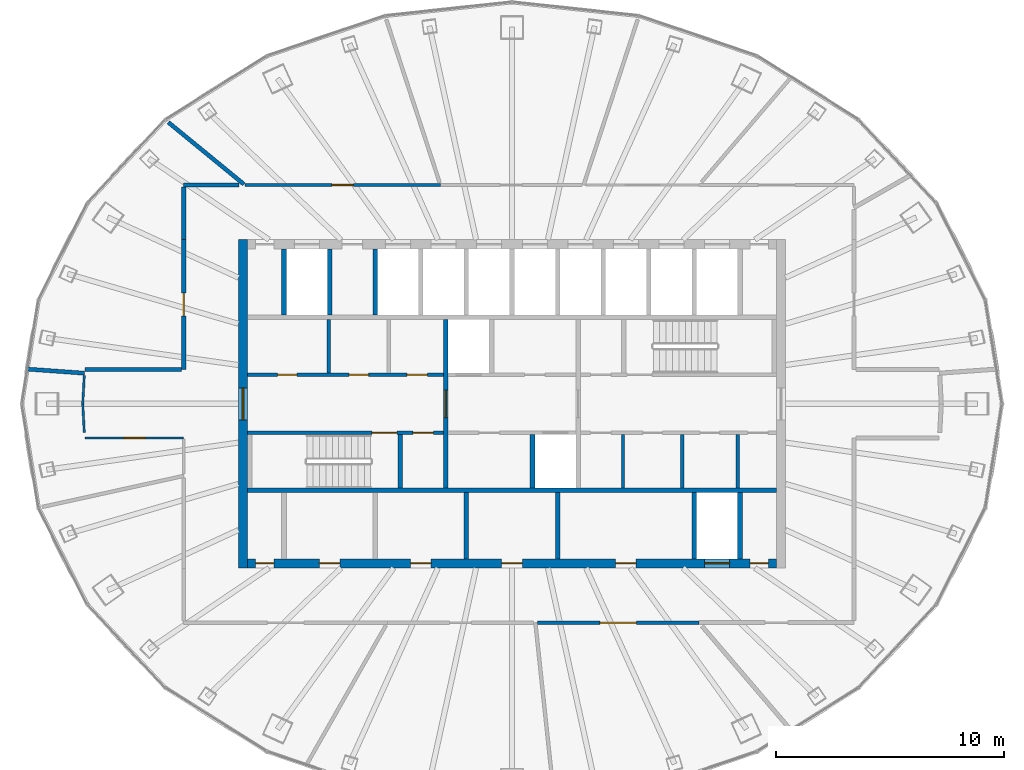
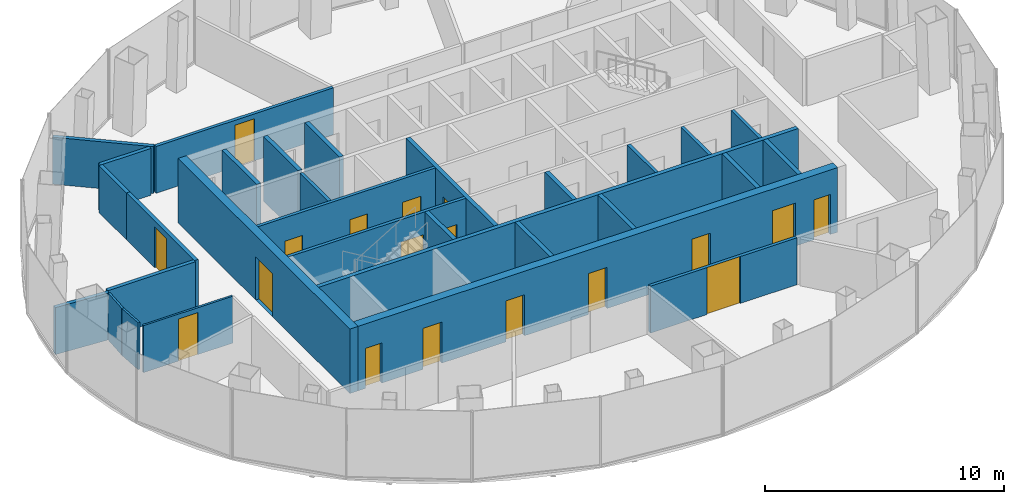
# One storey, part 9 of 12: 30 walls, 18 doors, 18 openings.
"""IFC4 building model written with IfcOpenShell, lengths in metres."""

from ifc_helpers import new_model, si_unit, direction, frame, frame_2d, origin, place, context, subcontext, project, spatial, rectangle, extrude, material, layer, layer_set, type_object, element, fill, save


model = new_model("IFC4")

# Units and contexts
model_context = context("Model", 3, precision=1e-05, world=origin(), true_north=direction((0.0, 1.0)))
body_context = subcontext(model_context, "Body", "Model", "MODEL_VIEW")
ifc_project = project(units=[si_unit("LENGTHUNIT", "METRE"), si_unit("AREAUNIT", "SQUARE_METRE"), si_unit("VOLUMEUNIT", "CUBIC_METRE"), si_unit("PLANEANGLEUNIT", "RADIAN"), si_unit("MASSUNIT", "GRAM", prefix="KILO")], contexts=[model_context])

# Site, building, storey
site_placement = place(None, origin())
site = spatial("IfcSite", under=ifc_project, at=site_placement, CompositionType="ELEMENT")
building_placement = place(site_placement, origin())
building = spatial("IfcBuilding", under=site, at=building_placement, Name="Siaravel Broadcast Tower", CompositionType="ELEMENT")
storey_placement = place(building_placement, frame((0.0, 0.0, 231.89990234375)))
storey = spatial("IfcBuildingStorey", under=building, at=storey_placement, Name="L56", CompositionType="ELEMENT", Elevation=231.89990234375)

# Walls
ifc_material_1 = material(Name="Concrete blockwork", Category="masonry")
ifc_layer_1 = layer(ifc_material_1, 0.14990234375)
ifc_layer_set_1 = layer_set([ifc_layer_1], Name="Concrete blockwork")
wall_type_1 = type_object("IfcWallType", Name="Core partition 150", PredefinedType="PARTITIONING", material=ifc_layer_set_1)
for number, where, z_axis, x_axis, name in (
    (1, (-8.0390625, 1.35009765625, 0.0), (0.0, 0.0, 1.0), (0.0, 1.0, 0.0), "L56 core partition PNW0"),
    (2, (4.867919921875, -3.699951171875, 0.0), (0.0, 0.0, 1.0), (0.0, 1.0, 0.0), "L56 core partition PSE0"),
    (3, (7.462890625, -3.699951171875, 0.0), (0.0, 0.0, 1.0), (0.0, 1.0, 0.0), "L56 core partition PSE1"),
    (4, (9.89501953125, -3.699951171875, 0.0), (0.0, 0.0, 1.0), (0.0, 1.0, 0.0), "L56 core partition PSE2"),
):
    element("IfcWall", number, at=place(storey_placement, frame(where, z_axis=z_axis, x_axis=x_axis)), inside=storey, type_object=wall_type_1, Name=name, PredefinedType="PARTITIONING", context=body_context, shape_type="SweptSolid", body=[
        extrude(rectangle(XDim=2.349853515625, YDim=0.14990234375, at=frame_2d((1.1748046875, 0.0))), origin(), (0.0, 0.0, 1.0), 3.300048828125),
    ])
ifc_layer_2 = layer(ifc_material_1, 0.199951171875)
ifc_layer_set_2 = layer_set([ifc_layer_2], Name="Concrete blockwork")
wall_type_2 = type_object("IfcWallType", Name="Core partition 200", PredefinedType="PARTITIONING", material=ifc_layer_set_2)
for number, where, z_axis, x_axis, name in (
    (5, (-2.0, -6.800048828125, 0.0), (0.0, 0.0, 1.0), (0.0, 1.0, 0.0), "L56 core partition PFS2"),
    (6, (2.0, -6.800048828125, 0.0), (0.0, 0.0, 1.0), (0.0, 1.0, 0.0), "L56 core partition PFS4"),
):
    element("IfcWall", number, at=place(storey_placement, frame(where, z_axis=z_axis, x_axis=x_axis)), inside=storey, type_object=wall_type_2, Name=name, PredefinedType="PARTITIONING", context=body_context, shape_type="SweptSolid", body=[
        extrude(rectangle(XDim=2.900146484375, YDim=0.199951171875, at=frame_2d((1.4501953125, 0.0))), origin(), (0.0, 0.0, 1.0), 3.300048828125),
    ])

# Wall, opening, door
ifc_material_2 = material(Name="Concrete C60/75", Category="concrete")
ifc_layer_3 = layer(ifc_material_2, 0.39990234375)
ifc_layer_set_3 = layer_set([ifc_layer_3], Name="Concrete C60/75")
wall_type_3 = type_object("IfcWallType", Name="Core wall 400", PredefinedType="SHEAR", material=ifc_layer_set_3)
wall_1_placement = place(storey_placement, frame((-11.800048828125, -7.199951171875, 0.0), z_axis=(0.0, 0.0, 1.0), x_axis=(0.0, 1.0, 0.0)))
wall_1 = element("IfcWall", 7, at=wall_1_placement, inside=storey, type_object=wall_type_3, Name="L56 core wall OW", PredefinedType="SHEAR", context=body_context, shape_type="SweptSolid", body=[
    extrude(rectangle(XDim=14.39990234375, YDim=0.39990234375, at=frame_2d((7.199951171875, 0.0))), origin(), (0.0, 0.0, 1.0), 3.300048828125),
])
opening_1_placement = place(wall_1_placement, frame((6.5, 0.0, 0.0)))
opening_1 = element("IfcOpeningElement", 8, at=opening_1_placement, cuts=wall_1, Name="Opening L56-DX-W", PredefinedType="OPENING", context=body_context, shape_type="SweptSolid", body=[
    extrude(rectangle(XDim=1.39990234375, YDim=2.199951171875, at=frame_2d((0.699951171875, 1.10009765625))), frame((0.0, 0.2099609375, 0.0), z_axis=(0.0, -1.0, 0.0), x_axis=(1.0, 0.0, 0.0)), (0.0, 0.0, 1.0), 0.419921875),
])
ifc_material_3 = material(Name="Steel", Category="steel")
door_type_1 = type_object("IfcDoorType", Name="Core exit door 1400", OperationType="DOUBLE_DOOR_SINGLE_SWING", PredefinedType="DOOR", material=ifc_material_3)
door_1_placement = place(opening_1_placement, origin())
door_1 = element("IfcDoor", 9, at=door_1_placement, inside=storey, type_object=door_type_1, Name="L56 door DX-W", OperationType="DOUBLE_DOOR_SINGLE_SWING", OverallHeight=2.199951171875, OverallWidth=1.39990234375, PredefinedType="DOOR", context=body_context, shape_type="SweptSolid", body=[
    extrude(rectangle(XDim=1.39990234375, YDim=2.199951171875, at=frame_2d((0.699951171875, 1.10009765625))), frame((0.0, 0.02490234375, 0.0), z_axis=(0.0, -1.0, 0.0), x_axis=(1.0, 0.0, 0.0)), (0.0, 0.0, 1.0), 0.050048828125),
])
fill(opening_1, door_1)

# Wall, openings, doors
wall_2_placement = place(storey_placement, frame((-11.60009765625, -7.0, 0.0), z_axis=(0.0, 0.0, 1.0), x_axis=(1.0, 0.0, 0.0)))
wall_2 = element("IfcWall", 10, at=wall_2_placement, inside=storey, type_object=wall_type_3, Name="L56 core wall OS", PredefinedType="SHEAR", context=body_context, shape_type="SweptSolid", body=[
    extrude(rectangle(XDim=23.2001953125, YDim=0.39990234375, at=frame_2d((11.60009765625, 0.0))), origin(), (0.0, 0.0, 1.0), 3.300048828125),
])
opening_2_placement = place(wall_2_placement, frame((20.050048828125, 0.0, 0.0)))
opening_2 = element("IfcOpeningElement", 11, at=opening_2_placement, cuts=wall_2, Name="Opening LD-SV1-L56", PredefinedType="OPENING", context=body_context, shape_type="SweptSolid", body=[
    extrude(rectangle(XDim=1.10009765625, YDim=2.199951171875, at=frame_2d((0.550048828125, 1.10009765625))), frame((0.0, 0.2099609375, 0.0), z_axis=(0.0, -1.0, 0.0), x_axis=(1.0, 0.0, 0.0)), (0.0, 0.0, 1.0), 0.419921875),
])
opening_3_placement = place(wall_2_placement, frame((3.14990234375, 0.0, 0.0)))
opening_3 = element("IfcOpeningElement", 12, at=opening_3_placement, cuts=wall_2, Name="Opening L56-DFS0", PredefinedType="OPENING", context=body_context, shape_type="SweptSolid", body=[
    extrude(rectangle(XDim=0.89990234375, YDim=2.10009765625, at=frame_2d((0.449951171875, 1.050048828125))), frame((0.0, 0.2099609375, 0.0), z_axis=(0.0, -1.0, 0.0), x_axis=(1.0, 0.0, 0.0)), (0.0, 0.0, 1.0), 0.419921875),
])
opening_4_placement = place(wall_2_placement, frame((7.14990234375, 0.0, 0.0)))
opening_4 = element("IfcOpeningElement", 13, at=opening_4_placement, cuts=wall_2, Name="Opening L56-DFS2", PredefinedType="OPENING", context=body_context, shape_type="SweptSolid", body=[
    extrude(rectangle(XDim=0.89990234375, YDim=2.10009765625, at=frame_2d((0.449951171875, 1.050048828125))), frame((0.0, 0.2099609375, 0.0), z_axis=(0.0, -1.0, 0.0), x_axis=(1.0, 0.0, 0.0)), (0.0, 0.0, 1.0), 0.419921875),
])
opening_5_placement = place(wall_2_placement, frame((11.14990234375, 0.0, 0.0)))
opening_5 = element("IfcOpeningElement", 14, at=opening_5_placement, cuts=wall_2, Name="Opening L56-DFS4", PredefinedType="OPENING", context=body_context, shape_type="SweptSolid", body=[
    extrude(rectangle(XDim=0.89990234375, YDim=2.10009765625, at=frame_2d((0.449951171875, 1.050048828125))), frame((0.0, 0.2099609375, 0.0), z_axis=(0.0, -1.0, 0.0), x_axis=(1.0, 0.0, 0.0)), (0.0, 0.0, 1.0), 0.419921875),
])
opening_6_placement = place(wall_2_placement, frame((16.14990234375, 0.0, 0.0)))
opening_6 = element("IfcOpeningElement", 15, at=opening_6_placement, cuts=wall_2, Name="Opening L56-DFS6", PredefinedType="OPENING", context=body_context, shape_type="SweptSolid", body=[
    extrude(rectangle(XDim=0.89990234375, YDim=2.10009765625, at=frame_2d((0.449951171875, 1.050048828125))), frame((0.0, 0.2099609375, 0.0), z_axis=(0.0, -1.0, 0.0), x_axis=(1.0, 0.0, 0.0)), (0.0, 0.0, 1.0), 0.419921875),
])
opening_7_placement = place(wall_2_placement, frame((0.35009765625, 0.0, 0.0)))
opening_7 = element("IfcOpeningElement", 16, at=opening_7_placement, cuts=wall_2, Name="Opening L56-DRSW", PredefinedType="OPENING", context=body_context, shape_type="SweptSolid", body=[
    extrude(rectangle(XDim=0.800048828125, YDim=2.050048828125, at=frame_2d((0.39990234375, 1.02490234375))), frame((0.0, 0.2099609375, 0.0), z_axis=(0.0, -1.0, 0.0), x_axis=(1.0, 0.0, 0.0)), (0.0, 0.0, 1.0), 0.419921875),
])
opening_8_placement = place(wall_2_placement, frame((22.050048828125, 0.0, 0.0)))
opening_8 = element("IfcOpeningElement", 17, at=opening_8_placement, cuts=wall_2, Name="Opening L56-DRSE", PredefinedType="OPENING", context=body_context, shape_type="SweptSolid", body=[
    extrude(rectangle(XDim=0.800048828125, YDim=2.050048828125, at=frame_2d((0.39990234375, 1.02490234375))), frame((0.0, 0.2099609375, 0.0), z_axis=(0.0, -1.0, 0.0), x_axis=(1.0, 0.0, 0.0)), (0.0, 0.0, 1.0), 0.419921875),
])
ifc_material_4 = material(Name="Timber veneer", Category="wood")
door_type_2 = type_object("IfcDoorType", Name="Core room door 900", OperationType="SINGLE_SWING_LEFT", PredefinedType="DOOR", material=ifc_material_4)
door_2_placement = place(opening_3_placement, origin())
door_2 = element("IfcDoor", 18, at=door_2_placement, inside=storey, type_object=door_type_2, Name="L56 door DFS0", OperationType="SINGLE_SWING_LEFT", OverallHeight=2.10009765625, OverallWidth=0.89990234375, PredefinedType="DOOR", context=body_context, shape_type="SweptSolid", body=[
    extrude(rectangle(XDim=0.89990234375, YDim=2.10009765625, at=frame_2d((0.449951171875, 1.050048828125))), frame((0.0, 0.02490234375, 0.0), z_axis=(0.0, -1.0, 0.0), x_axis=(1.0, 0.0, 0.0)), (0.0, 0.0, 1.0), 0.050048828125),
])
fill(opening_3, door_2)
door_3_placement = place(opening_4_placement, origin())
door_3 = element("IfcDoor", 19, at=door_3_placement, inside=storey, type_object=door_type_2, Name="L56 door DFS2", OperationType="SINGLE_SWING_LEFT", OverallHeight=2.10009765625, OverallWidth=0.89990234375, PredefinedType="DOOR", context=body_context, shape_type="SweptSolid", body=[
    extrude(rectangle(XDim=0.89990234375, YDim=2.10009765625, at=frame_2d((0.449951171875, 1.050048828125))), frame((0.0, 0.02490234375, 0.0), z_axis=(0.0, -1.0, 0.0), x_axis=(1.0, 0.0, 0.0)), (0.0, 0.0, 1.0), 0.050048828125),
])
fill(opening_4, door_3)
door_4_placement = place(opening_5_placement, origin())
door_4 = element("IfcDoor", 20, at=door_4_placement, inside=storey, type_object=door_type_2, Name="L56 door DFS4", OperationType="SINGLE_SWING_LEFT", OverallHeight=2.10009765625, OverallWidth=0.89990234375, PredefinedType="DOOR", context=body_context, shape_type="SweptSolid", body=[
    extrude(rectangle(XDim=0.89990234375, YDim=2.10009765625, at=frame_2d((0.449951171875, 1.050048828125))), frame((0.0, 0.02490234375, 0.0), z_axis=(0.0, -1.0, 0.0), x_axis=(1.0, 0.0, 0.0)), (0.0, 0.0, 1.0), 0.050048828125),
])
fill(opening_5, door_4)
door_5_placement = place(opening_6_placement, origin())
door_5 = element("IfcDoor", 21, at=door_5_placement, inside=storey, type_object=door_type_2, Name="L56 door DFS6", OperationType="SINGLE_SWING_LEFT", OverallHeight=2.10009765625, OverallWidth=0.89990234375, PredefinedType="DOOR", context=body_context, shape_type="SweptSolid", body=[
    extrude(rectangle(XDim=0.89990234375, YDim=2.10009765625, at=frame_2d((0.449951171875, 1.050048828125))), frame((0.0, 0.02490234375, 0.0), z_axis=(0.0, -1.0, 0.0), x_axis=(1.0, 0.0, 0.0)), (0.0, 0.0, 1.0), 0.050048828125),
])
fill(opening_6, door_5)
door_type_3 = type_object("IfcDoorType", Name="Riser door 800", OperationType="SINGLE_SWING_LEFT", PredefinedType="DOOR", material=ifc_material_3)
door_6_placement = place(opening_7_placement, origin())
door_6 = element("IfcDoor", 22, at=door_6_placement, inside=storey, type_object=door_type_3, Name="L56 door DRSW", OperationType="SINGLE_SWING_LEFT", OverallHeight=2.050048828125, OverallWidth=0.800048828125, PredefinedType="DOOR", context=body_context, shape_type="SweptSolid", body=[
    extrude(rectangle(XDim=0.800048828125, YDim=2.050048828125, at=frame_2d((0.39990234375, 1.02490234375))), frame((0.0, 0.02490234375, 0.0), z_axis=(0.0, -1.0, 0.0), x_axis=(1.0, 0.0, 0.0)), (0.0, 0.0, 1.0), 0.050048828125),
])
fill(opening_7, door_6)
door_7_placement = place(opening_8_placement, origin())
door_7 = element("IfcDoor", 23, at=door_7_placement, inside=storey, type_object=door_type_3, Name="L56 door DRSE", OperationType="SINGLE_SWING_LEFT", OverallHeight=2.050048828125, OverallWidth=0.800048828125, PredefinedType="DOOR", context=body_context, shape_type="SweptSolid", body=[
    extrude(rectangle(XDim=0.800048828125, YDim=2.050048828125, at=frame_2d((0.39990234375, 1.02490234375))), frame((0.0, 0.02490234375, 0.0), z_axis=(0.0, -1.0, 0.0), x_axis=(1.0, 0.0, 0.0)), (0.0, 0.0, 1.0), 0.050048828125),
])
fill(opening_8, door_7)
ifc_material_5 = material(Name="Stainless steel 316L", Category="steel")
door_type_4 = type_object("IfcDoorType", Name="Service lift landing door 1100", OperationType="DOUBLE_DOOR_SLIDING", PredefinedType="DOOR", material=ifc_material_5)
door_8_placement = place(opening_2_placement, origin())
door_8 = element("IfcDoor", 24, at=door_8_placement, inside=storey, type_object=door_type_4, Name="Landing door SV1 L56", OperationType="DOUBLE_DOOR_SLIDING", OverallHeight=2.199951171875, OverallWidth=1.10009765625, PredefinedType="DOOR", context=body_context, shape_type="SweptSolid", body=[
    extrude(rectangle(XDim=1.10009765625, YDim=2.199951171875, at=frame_2d((0.550048828125, 1.10009765625))), frame((0.0, 0.02490234375, 0.0), z_axis=(0.0, -1.0, 0.0), x_axis=(1.0, 0.0, 0.0)), (0.0, 0.0, 1.0), 0.050048828125),
])
fill(opening_2, door_8)

ifc_material_6 = material(Name="Gypsum board partition", Category="gypsum")
ifc_layer_4 = layer(ifc_material_6, 0.14990234375)
ifc_layer_set_4 = layer_set([ifc_layer_4], Name="Gypsum board partition")
wall_type_4 = type_object("IfcWallType", Name="Corridor wall 150", PredefinedType="PARTITIONING", material=ifc_layer_set_4)
wall_3_placement = place(storey_placement, frame((-11.60009765625, 1.27490234375, 0.0), z_axis=(0.0, 0.0, 1.0), x_axis=(1.0, 0.0, 0.0)))
wall_3 = element("IfcWall", 25, at=wall_3_placement, inside=storey, type_object=wall_type_4, Name="L56 core partition CNW", PredefinedType="PARTITIONING", context=body_context, shape_type="SweptSolid", body=[
    extrude(rectangle(XDim=8.60009765625, YDim=0.14990234375, at=frame_2d((4.300048828125, 0.0))), origin(), (0.0, 0.0, 1.0), 3.300048828125),
])
opening_9_placement = place(wall_3_placement, frame((1.318115234375, 0.0, 0.0)))
opening_9 = element("IfcOpeningElement", 26, at=opening_9_placement, cuts=wall_3, Name="Opening L56-DNW0", PredefinedType="OPENING", context=body_context, shape_type="SweptSolid", body=[
    extrude(rectangle(XDim=0.85009765625, YDim=2.10009765625, at=frame_2d((0.425048828125, 1.050048828125))), frame((0.0, 0.0849609375, 0.0), z_axis=(0.0, -1.0, 0.0), x_axis=(1.0, 0.0, 0.0)), (0.0, 0.0, 1.0), 0.169921875),
])
opening_10_placement = place(wall_3_placement, frame((4.4560546875, 0.0, 0.0)))
opening_10 = element("IfcOpeningElement", 27, at=opening_10_placement, cuts=wall_3, Name="Opening L56-DNW1", PredefinedType="OPENING", context=body_context, shape_type="SweptSolid", body=[
    extrude(rectangle(XDim=0.85009765625, YDim=2.10009765625, at=frame_2d((0.425048828125, 1.050048828125))), frame((0.0, 0.0849609375, 0.0), z_axis=(0.0, -1.0, 0.0), x_axis=(1.0, 0.0, 0.0)), (0.0, 0.0, 1.0), 0.169921875),
])
opening_11_placement = place(wall_3_placement, frame((6.988037109375, 0.0, 0.0)))
opening_11 = element("IfcOpeningElement", 28, at=opening_11_placement, cuts=wall_3, Name="Opening L56-DNW2", PredefinedType="OPENING", context=body_context, shape_type="SweptSolid", body=[
    extrude(rectangle(XDim=0.89990234375, YDim=2.10009765625, at=frame_2d((0.449951171875, 1.050048828125))), frame((0.0, 0.0849609375, 0.0), z_axis=(0.0, -1.0, 0.0), x_axis=(1.0, 0.0, 0.0)), (0.0, 0.0, 1.0), 0.169921875),
])
door_9_placement = place(opening_11_placement, origin())
door_9 = element("IfcDoor", 29, at=door_9_placement, inside=storey, type_object=door_type_2, Name="L56 door DNW2", OperationType="SINGLE_SWING_LEFT", OverallHeight=2.10009765625, OverallWidth=0.89990234375, PredefinedType="DOOR", context=body_context, shape_type="SweptSolid", body=[
    extrude(rectangle(XDim=0.89990234375, YDim=2.10009765625, at=frame_2d((0.449951171875, 1.050048828125))), frame((0.0, 0.02490234375, 0.0), z_axis=(0.0, -1.0, 0.0), x_axis=(1.0, 0.0, 0.0)), (0.0, 0.0, 1.0), 0.050048828125),
])
fill(opening_11, door_9)
door_type_5 = type_object("IfcDoorType", Name="Core toilet door 850", OperationType="SINGLE_SWING_LEFT", PredefinedType="DOOR", material=ifc_material_4)
door_10_placement = place(opening_9_placement, origin())
door_10 = element("IfcDoor", 30, at=door_10_placement, inside=storey, type_object=door_type_5, Name="L56 door DNW0", OperationType="SINGLE_SWING_LEFT", OverallHeight=2.10009765625, OverallWidth=0.85009765625, PredefinedType="DOOR", context=body_context, shape_type="SweptSolid", body=[
    extrude(rectangle(XDim=0.85009765625, YDim=2.10009765625, at=frame_2d((0.425048828125, 1.050048828125))), frame((0.0, 0.02490234375, 0.0), z_axis=(0.0, -1.0, 0.0), x_axis=(1.0, 0.0, 0.0)), (0.0, 0.0, 1.0), 0.050048828125),
])
fill(opening_9, door_10)
door_11_placement = place(opening_10_placement, origin())
door_11 = element("IfcDoor", 31, at=door_11_placement, inside=storey, type_object=door_type_5, Name="L56 door DNW1", OperationType="SINGLE_SWING_LEFT", OverallHeight=2.10009765625, OverallWidth=0.85009765625, PredefinedType="DOOR", context=body_context, shape_type="SweptSolid", body=[
    extrude(rectangle(XDim=0.85009765625, YDim=2.10009765625, at=frame_2d((0.425048828125, 1.050048828125))), frame((0.0, 0.02490234375, 0.0), z_axis=(0.0, -1.0, 0.0), x_axis=(1.0, 0.0, 0.0)), (0.0, 0.0, 1.0), 0.050048828125),
])
fill(opening_10, door_11)

# Wall, opening, door
wall_4_placement = place(storey_placement, frame((-3.140380859375, 9.60009765625, 0.0), z_axis=(0.0, 0.0, 1.0), x_axis=(-1.0, 0.0, 0.0)))
wall_4 = element("IfcWall", 32, at=wall_4_placement, inside=storey, type_object=wall_type_4, Name="L56 partition 2", PredefinedType="PARTITIONING", context=body_context, shape_type="SweptSolid", body=[
    extrude(rectangle(XDim=8.57958984375, YDim=0.14990234375, at=frame_2d((4.289794921875, 0.0))), origin(), (0.0, 0.0, 1.0), 2.400146484375),
])
opening_12_placement = place(wall_4_placement, frame((3.814697265625, 0.0, 0.0)))
opening_12 = element("IfcOpeningElement", 33, at=opening_12_placement, cuts=wall_4, Name="Opening L56-009", PredefinedType="OPENING", context=body_context, shape_type="SweptSolid", body=[
    extrude(rectangle(XDim=0.949951171875, YDim=2.14990234375, at=frame_2d((0.47509765625, 1.074951171875))), frame((0.0, 0.0849609375, 0.0), z_axis=(0.0, -1.0, 0.0), x_axis=(1.0, 0.0, 0.0)), (0.0, 0.0, 1.0), 0.169921875),
])
door_type_6 = type_object("IfcDoorType", Name="Office door 950", OperationType="SINGLE_SWING_LEFT", PredefinedType="DOOR", material=ifc_material_4)
door_12_placement = place(opening_12_placement, origin())
door_12 = element("IfcDoor", 34, at=door_12_placement, inside=storey, type_object=door_type_6, Name="L56 door to Reception", OperationType="SINGLE_SWING_LEFT", OverallHeight=2.14990234375, OverallWidth=0.949951171875, PredefinedType="DOOR", context=body_context, shape_type="SweptSolid", body=[
    extrude(rectangle(XDim=0.949951171875, YDim=2.14990234375, at=frame_2d((0.47509765625, 1.074951171875))), frame((0.0, 0.02490234375, 0.0), z_axis=(0.0, -1.0, 0.0), x_axis=(1.0, 0.0, 0.0)), (0.0, 0.0, 1.0), 0.050048828125),
])
fill(opening_12, door_12)

wall_5_placement = place(storey_placement, frame((1.11083984375, -9.60009765625, 0.0), z_axis=(0.0, 0.0, 1.0), x_axis=(1.0, 0.0, 0.0)))
wall_5 = element("IfcWall", 35, at=wall_5_placement, inside=storey, type_object=wall_type_4, Name="L56 partition 6", PredefinedType="PARTITIONING", context=body_context, shape_type="SweptSolid", body=[
    extrude(rectangle(XDim=7.095703125, YDim=0.14990234375, at=frame_2d((3.5478515625, 0.0))), origin(), (0.0, 0.0, 1.0), 2.400146484375),
])
opening_13_placement = place(wall_5_placement, frame((2.747802734375, 0.0, 0.0)))
opening_13 = element("IfcOpeningElement", 36, at=opening_13_placement, cuts=wall_5, Name="Opening L56-003", PredefinedType="OPENING", context=body_context, shape_type="SweptSolid", body=[
    extrude(rectangle(XDim=1.60009765625, YDim=2.39990234375, at=frame_2d((0.800048828125, 1.199951171875))), frame((0.0, 0.0849609375, 0.0), z_axis=(0.0, -1.0, 0.0), x_axis=(1.0, 0.0, 0.0)), (0.0, 0.0, 1.0), 0.169921875),
])
door_type_7 = type_object("IfcDoorType", Name="Restaurant double door 1600", OperationType="DOUBLE_DOOR_SINGLE_SWING", PredefinedType="DOOR", material=ifc_material_4)
door_13_placement = place(opening_13_placement, origin())
door_13 = element("IfcDoor", 37, at=door_13_placement, inside=storey, type_object=door_type_7, Name="L56 door to Lounge", OperationType="DOUBLE_DOOR_SINGLE_SWING", OverallHeight=2.39990234375, OverallWidth=1.60009765625, PredefinedType="DOOR", context=body_context, shape_type="SweptSolid", body=[
    extrude(rectangle(XDim=1.60009765625, YDim=2.39990234375, at=frame_2d((0.800048828125, 1.199951171875))), frame((0.0, 0.02490234375, 0.0), z_axis=(0.0, -1.0, 0.0), x_axis=(1.0, 0.0, 0.0)), (0.0, 0.0, 1.0), 0.050048828125),
])
fill(opening_13, door_13)

ifc_material_7 = material(Name="Glazed aluminium partition", Category="aluminium")
ifc_layer_5 = layer(ifc_material_7, 0.10009765625)
ifc_layer_set_5 = layer_set([ifc_layer_5], Name="Glazed aluminium partition")
wall_type_5 = type_object("IfcWallType", Name="Glazed meeting room partition 100", PredefinedType="PARTITIONING", material=ifc_layer_set_5)
wall_6_placement = place(storey_placement, frame((-18.721923828125, -1.5, 0.0), z_axis=(0.0, 0.0, 1.0), x_axis=(1.0, 0.0, 0.0)))
wall_6 = element("IfcWall", 38, at=wall_6_placement, inside=storey, type_object=wall_type_5, Name="L56 partition 20", PredefinedType="PARTITIONING", context=body_context, shape_type="SweptSolid", body=[
    extrude(rectangle(XDim=4.322021484375, YDim=0.10009765625, at=frame_2d((2.1611328125, 0.0))), origin(), (0.0, 0.0, 1.0), 2.400146484375),
])
opening_14_placement = place(wall_6_placement, frame((1.68603515625, 0.0, 0.0)))
opening_14 = element("IfcOpeningElement", 39, at=opening_14_placement, cuts=wall_6, Name="Opening L56-011", PredefinedType="OPENING", context=body_context, shape_type="SweptSolid", body=[
    extrude(rectangle(XDim=0.949951171875, YDim=2.14990234375, at=frame_2d((0.47509765625, 1.074951171875))), frame((0.0, 0.06005859375, 0.0), z_axis=(0.0, -1.0, 0.0), x_axis=(1.0, 0.0, 0.0)), (0.0, 0.0, 1.0), 0.1201171875),
])
door_14_placement = place(opening_14_placement, origin())
door_14 = element("IfcDoor", 40, at=door_14_placement, inside=storey, type_object=door_type_6, Name="L56 door to Private dining room", OperationType="SINGLE_SWING_LEFT", OverallHeight=2.14990234375, OverallWidth=0.949951171875, PredefinedType="DOOR", context=body_context, shape_type="SweptSolid", body=[
    extrude(rectangle(XDim=0.949951171875, YDim=2.14990234375, at=frame_2d((0.47509765625, 1.074951171875))), frame((0.0, 0.02490234375, 0.0), z_axis=(0.0, -1.0, 0.0), x_axis=(1.0, 0.0, 0.0)), (0.0, 0.0, 1.0), 0.050048828125),
])
fill(opening_14, door_14)

# Walls
wall_7_placement = place(storey_placement, frame((-18.76171875, 1.252197265625, 0.0), z_axis=(0.0, 0.0, 1.0), x_axis=(-0.053151512, -0.998586459, 0.0)))
element("IfcWall", 41, at=wall_7_placement, inside=storey, type_object=wall_type_5, Name="L56 partition 34", PredefinedType="PARTITIONING", context=body_context, shape_type="SweptSolid", body=[
    extrude(rectangle(XDim=1.25390625, YDim=0.10009765625, at=frame_2d((0.626953125, 0.0))), origin(), (0.0, 0.0, 1.0), 2.400146484375),
])
wall_8_placement = place(storey_placement, frame((-18.828369140625, 0.0, 0.0), z_axis=(0.0, 0.0, 1.0), x_axis=(0.053110209, -0.998588657, 0.0)))
element("IfcWall", 42, at=wall_8_placement, inside=storey, type_object=wall_type_5, Name="L56 partition 36", PredefinedType="PARTITIONING", context=body_context, shape_type="SweptSolid", body=[
    extrude(rectangle(XDim=1.2548828125, YDim=0.10009765625, at=frame_2d((0.62744140625, 0.0))), origin(), (0.0, 0.0, 1.0), 2.400146484375),
])

# Wall, opening, door
ifc_layer_6 = layer(ifc_material_1, 0.179931640625)
ifc_layer_set_6 = layer_set([ifc_layer_6], Name="Concrete blockwork")
wall_type_6 = type_object("IfcWallType", Name="Service room fire partition 180", PredefinedType="PARTITIONING", material=ifc_layer_set_6)
wall_9_placement = place(storey_placement, frame((-14.39990234375, 7.2119140625, 0.0), z_axis=(0.0, 0.0, 1.0), x_axis=(0.0, -1.0, 0.0)))
wall_9 = element("IfcWall", 43, at=wall_9_placement, inside=storey, type_object=wall_type_6, Name="L56 partition 15", PredefinedType="PARTITIONING", context=body_context, shape_type="SweptSolid", body=[
    extrude(rectangle(XDim=5.7119140625, YDim=0.179931640625, at=frame_2d((2.85595703125, 0.0))), origin(), (0.0, 0.0, 1.0), 2.400146484375),
])
opening_15_placement = place(wall_9_placement, frame((2.35595703125, 0.0, 0.0)))
opening_15 = element("IfcOpeningElement", 44, at=opening_15_placement, cuts=wall_9, Name="Opening L56-010", PredefinedType="OPENING", context=body_context, shape_type="SweptSolid", body=[
    extrude(rectangle(XDim=1.0, YDim=2.10009765625, at=frame_2d((0.5, 1.050048828125))), frame((0.0, 0.099853515625, 0.0), z_axis=(0.0, -1.0, 0.0), x_axis=(1.0, 0.0, 0.0)), (0.0, 0.0, 1.0), 0.199951171875),
])
door_type_8 = type_object("IfcDoorType", Name="Service room door 1000", OperationType="SINGLE_SWING_LEFT", PredefinedType="DOOR", material=ifc_material_3)
door_15_placement = place(opening_15_placement, origin())
door_15 = element("IfcDoor", 45, at=door_15_placement, inside=storey, type_object=door_type_8, Name="L56 door to Library", OperationType="SINGLE_SWING_RIGHT", OverallHeight=2.10009765625, OverallWidth=1.0, PredefinedType="DOOR", context=body_context, shape_type="SweptSolid", body=[
    extrude(rectangle(XDim=1.0, YDim=2.10009765625, at=frame_2d((0.5, 1.050048828125))), frame((0.0, 0.02490234375, 0.0), z_axis=(0.0, -1.0, 0.0), x_axis=(1.0, 0.0, 0.0)), (0.0, 0.0, 1.0), 0.050048828125),
])
fill(opening_15, door_15)

# Walls
wall_10_placement = place(storey_placement, frame((-15.074951171875, 12.34814453125, 0.0), z_axis=(0.0, 0.0, 1.0), x_axis=(0.773594361, -0.633681122, 0.0)))
element("IfcWall", 46, at=wall_10_placement, inside=storey, type_object=wall_type_6, Name="L56 partition 19", PredefinedType="PARTITIONING", context=body_context, shape_type="SweptSolid", body=[
    extrude(rectangle(XDim=4.287353515625, YDim=0.179931640625, at=frame_2d((2.1435546875, 0.0))), origin(), (0.0, 0.0, 1.0), 2.400146484375),
])
wall_11_placement = place(storey_placement, frame((-14.491943359375, 1.5, 0.0), z_axis=(0.0, 0.0, 1.0), x_axis=(-1.0, 0.0, 0.0)))
element("IfcWall", 47, at=wall_11_placement, inside=storey, type_object=wall_type_6, Name="L56 partition 21", PredefinedType="PARTITIONING", context=body_context, shape_type="SweptSolid", body=[
    extrude(rectangle(XDim=4.22998046875, YDim=0.179931640625, at=frame_2d((2.114990234375, 0.0))), origin(), (0.0, 0.0, 1.0), 2.400146484375),
])
wall_12_placement = place(storey_placement, frame((-11.973876953125, 9.60009765625, 0.0), z_axis=(0.0, 0.0, 1.0), x_axis=(-1.0, 0.0, 0.0)))
element("IfcWall", 48, at=wall_12_placement, inside=storey, type_object=wall_type_6, Name="L56 partition 26", PredefinedType="PARTITIONING", context=body_context, shape_type="SweptSolid", body=[
    extrude(rectangle(XDim=2.426025390625, YDim=0.179931640625, at=frame_2d((1.212890625, 0.0))), origin(), (0.0, 0.0, 1.0), 2.400146484375),
])
wall_13_placement = place(storey_placement, frame((-21.250732421875, 1.52294921875, 0.0), z_axis=(0.0, 0.0, 1.0), x_axis=(0.997442317, -0.071476043, 0.0)))
element("IfcWall", 49, at=wall_13_placement, inside=storey, type_object=wall_type_6, Name="L56 partition 28", PredefinedType="PARTITIONING", context=body_context, shape_type="SweptSolid", body=[
    extrude(rectangle(XDim=2.500244140625, YDim=0.179931640625, at=frame_2d((1.25, 0.0))), origin(), (0.0, 0.0, 1.0), 2.400146484375),
])
wall_14_placement = place(storey_placement, frame((-14.39990234375, 9.508056640625, 0.0), z_axis=(0.0, 0.0, 1.0), x_axis=(0.0, -1.0, 0.0)))
element("IfcWall", 50, at=wall_14_placement, inside=storey, type_object=wall_type_6, Name="L56 partition 30", PredefinedType="PARTITIONING", context=body_context, shape_type="SweptSolid", body=[
    extrude(rectangle(XDim=2.295166015625, YDim=0.179931640625, at=frame_2d((1.1474609375, 0.0))), origin(), (0.0, 0.0, 1.0), 2.400146484375),
])

# Wall, openings, doors
ifc_layer_7 = layer(ifc_material_2, 0.14990234375)
ifc_layer_set_7 = layer_set([ifc_layer_7], Name="Concrete C60/75")
wall_type_7 = type_object("IfcWallType", Name="Shaft wall 150", PredefinedType="SHEAR", material=ifc_layer_set_7)
wall_15_placement = place(storey_placement, frame((-11.60009765625, -1.27490234375, 0.0), z_axis=(0.0, 0.0, 1.0), x_axis=(1.0, 0.0, 0.0)))
wall_15 = element("IfcWall", 51, at=wall_15_placement, inside=storey, type_object=wall_type_7, Name="L56 core wall CSW", PredefinedType="SHEAR", context=body_context, shape_type="SweptSolid", body=[
    extrude(rectangle(XDim=8.60009765625, YDim=0.14990234375, at=frame_2d((4.300048828125, 0.0))), origin(), (0.0, 0.0, 1.0), 3.300048828125),
])
opening_16_placement = place(wall_15_placement, frame((5.449951171875, 0.0, 0.0)))
opening_16 = element("IfcOpeningElement", 52, at=opening_16_placement, cuts=wall_15, Name="Opening L56-DS-1", PredefinedType="OPENING", context=body_context, shape_type="SweptSolid", body=[
    extrude(rectangle(XDim=1.10009765625, YDim=2.14990234375, at=frame_2d((0.550048828125, 1.074951171875))), frame((0.0, 0.0849609375, 0.0), z_axis=(0.0, -1.0, 0.0), x_axis=(1.0, 0.0, 0.0)), (0.0, 0.0, 1.0), 0.169921875),
])
opening_17_placement = place(wall_15_placement, frame((7.25, 0.0, 0.0)))
opening_17 = element("IfcOpeningElement", 53, at=opening_17_placement, cuts=wall_15, Name="Opening L56-DSW0", PredefinedType="OPENING", context=body_context, shape_type="SweptSolid", body=[
    extrude(rectangle(XDim=0.89990234375, YDim=2.10009765625, at=frame_2d((0.449951171875, 1.050048828125))), frame((0.0, 0.0849609375, 0.0), z_axis=(0.0, -1.0, 0.0), x_axis=(1.0, 0.0, 0.0)), (0.0, 0.0, 1.0), 0.169921875),
])
door_16_placement = place(opening_17_placement, origin())
door_16 = element("IfcDoor", 54, at=door_16_placement, inside=storey, type_object=door_type_2, Name="L56 door DSW0", OperationType="SINGLE_SWING_LEFT", OverallHeight=2.10009765625, OverallWidth=0.89990234375, PredefinedType="DOOR", context=body_context, shape_type="SweptSolid", body=[
    extrude(rectangle(XDim=0.89990234375, YDim=2.10009765625, at=frame_2d((0.449951171875, 1.050048828125))), frame((0.0, 0.02490234375, 0.0), z_axis=(0.0, -1.0, 0.0), x_axis=(1.0, 0.0, 0.0)), (0.0, 0.0, 1.0), 0.050048828125),
])
fill(opening_17, door_16)
door_type_9 = type_object("IfcDoorType", Name="Stair door 1100", OperationType="SINGLE_SWING_LEFT", PredefinedType="DOOR", material=ifc_material_3)
door_17_placement = place(opening_16_placement, origin())
door_17 = element("IfcDoor", 55, at=door_17_placement, inside=storey, type_object=door_type_9, Name="L56 door DS-1", OperationType="SINGLE_SWING_LEFT", OverallHeight=2.14990234375, OverallWidth=1.10009765625, PredefinedType="DOOR", context=body_context, shape_type="SweptSolid", body=[
    extrude(rectangle(XDim=1.10009765625, YDim=2.14990234375, at=frame_2d((0.550048828125, 1.074951171875))), frame((0.0, 0.02490234375, 0.0), z_axis=(0.0, -1.0, 0.0), x_axis=(1.0, 0.0, 0.0)), (0.0, 0.0, 1.0), 0.050048828125),
])
fill(opening_16, door_17)

# Walls
ifc_layer_8 = layer(ifc_material_2, 0.199951171875)
ifc_layer_set_8 = layer_set([ifc_layer_8], Name="Concrete C60/75")
wall_type_8 = type_object("IfcWallType", Name="Shaft wall 200", PredefinedType="SHEAR", material=ifc_layer_set_8)
wall_16_placement = place(storey_placement, frame((-11.60009765625, -3.800048828125, 0.0), z_axis=(0.0, 0.0, 1.0), x_axis=(1.0, 0.0, 0.0)))
element("IfcWall", 56, at=wall_16_placement, inside=storey, type_object=wall_type_8, Name="L56 core wall BS", PredefinedType="SHEAR", context=body_context, shape_type="SweptSolid", body=[
    extrude(rectangle(XDim=23.2001953125, YDim=0.199951171875, at=frame_2d((11.60009765625, 0.0))), origin(), (0.0, 0.0, 1.0), 3.300048828125),
])
for number, where, z_axis, x_axis, name in (
    (57, (8.0, -6.800048828125, 0.0), (0.0, 0.0, 1.0), (0.0, 1.0, 0.0), "L56 core wall SWS9"),
    (58, (10.0, -6.800048828125, 0.0), (0.0, 0.0, 1.0), (0.0, 1.0, 0.0), "L56 core wall SWS10"),
    (59, (-10.0, 3.89990234375, 0.0), (0.0, 0.0, 1.0), (0.0, 1.0, 0.0), "L56 core wall SWN0"),
    (60, (-8.0, 3.89990234375, 0.0), (0.0, 0.0, 1.0), (0.0, 1.0, 0.0), "L56 core wall SWN1"),
    (61, (-6.0, 3.89990234375, 0.0), (0.0, 0.0, 1.0), (0.0, 1.0, 0.0), "L56 core wall SWN2"),
):
    element("IfcWall", number, at=place(storey_placement, frame(where, z_axis=z_axis, x_axis=x_axis)), inside=storey, type_object=wall_type_8, Name=name, PredefinedType="SHEAR", context=body_context, shape_type="SweptSolid", body=[
        extrude(rectangle(XDim=2.900146484375, YDim=0.199951171875, at=frame_2d((1.4501953125, 0.0))), origin(), (0.0, 0.0, 1.0), 3.300048828125),
    ])

# Wall, opening, door
wall_17_placement = place(storey_placement, frame((-2.89990234375, -3.699951171875, 0.0), z_axis=(0.0, 0.0, 1.0), x_axis=(0.0, 1.0, 0.0)))
wall_17 = element("IfcWall", 62, at=wall_17_placement, inside=storey, type_object=wall_type_8, Name="L56 core wall LW", PredefinedType="SHEAR", context=body_context, shape_type="SweptSolid", body=[
    extrude(rectangle(XDim=7.39990234375, YDim=0.199951171875, at=frame_2d((3.699951171875, 0.0))), origin(), (0.0, 0.0, 1.0), 3.300048828125),
])
opening_18_placement = place(wall_17_placement, frame((3.10009765625, 0.0, 0.0)))
opening_18 = element("IfcOpeningElement", 63, at=opening_18_placement, cuts=wall_17, Name="Opening L56-DL-W", PredefinedType="OPENING", context=body_context, shape_type="SweptSolid", body=[
    extrude(rectangle(XDim=1.199951171875, YDim=2.199951171875, at=frame_2d((0.60009765625, 1.10009765625))), frame((0.0, 0.10986328125, 0.0), z_axis=(0.0, -1.0, 0.0), x_axis=(1.0, 0.0, 0.0)), (0.0, 0.0, 1.0), 0.219970703125),
])
door_type_10 = type_object("IfcDoorType", Name="Firefighting lobby door 1200", OperationType="SINGLE_SWING_LEFT", PredefinedType="DOOR", material=ifc_material_3)
door_18_placement = place(opening_18_placement, origin())
door_18 = element("IfcDoor", 64, at=door_18_placement, inside=storey, type_object=door_type_10, Name="L56 door DL-W", OperationType="SINGLE_SWING_LEFT", OverallHeight=2.199951171875, OverallWidth=1.199951171875, PredefinedType="DOOR", context=body_context, shape_type="SweptSolid", body=[
    extrude(rectangle(XDim=1.199951171875, YDim=2.199951171875, at=frame_2d((0.60009765625, 1.10009765625))), frame((0.0, 0.02490234375, 0.0), z_axis=(0.0, -1.0, 0.0), x_axis=(1.0, 0.0, 0.0)), (0.0, 0.0, 1.0), 0.050048828125),
])
fill(opening_18, door_18)

# Walls
for number, where, z_axis, x_axis, name in (
    (65, (0.89990234375, -3.699951171875, 0.0), (0.0, 0.0, 1.0), (0.0, 1.0, 0.0), "L56 core wall FF2W"),
    (66, (-4.89990234375, -3.699951171875, 0.0), (0.0, 0.0, 1.0), (0.0, 1.0, 0.0), "L56 core wall ST1E"),
):
    element("IfcWall", number, at=place(storey_placement, frame(where, z_axis=z_axis, x_axis=x_axis)), inside=storey, type_object=wall_type_8, Name=name, PredefinedType="SHEAR", context=body_context, shape_type="SweptSolid", body=[
        extrude(rectangle(XDim=2.349853515625, YDim=0.199951171875, at=frame_2d((1.1748046875, 0.0))), origin(), (0.0, 0.0, 1.0), 3.300048828125),
    ])

save(model, "model.ifc")
